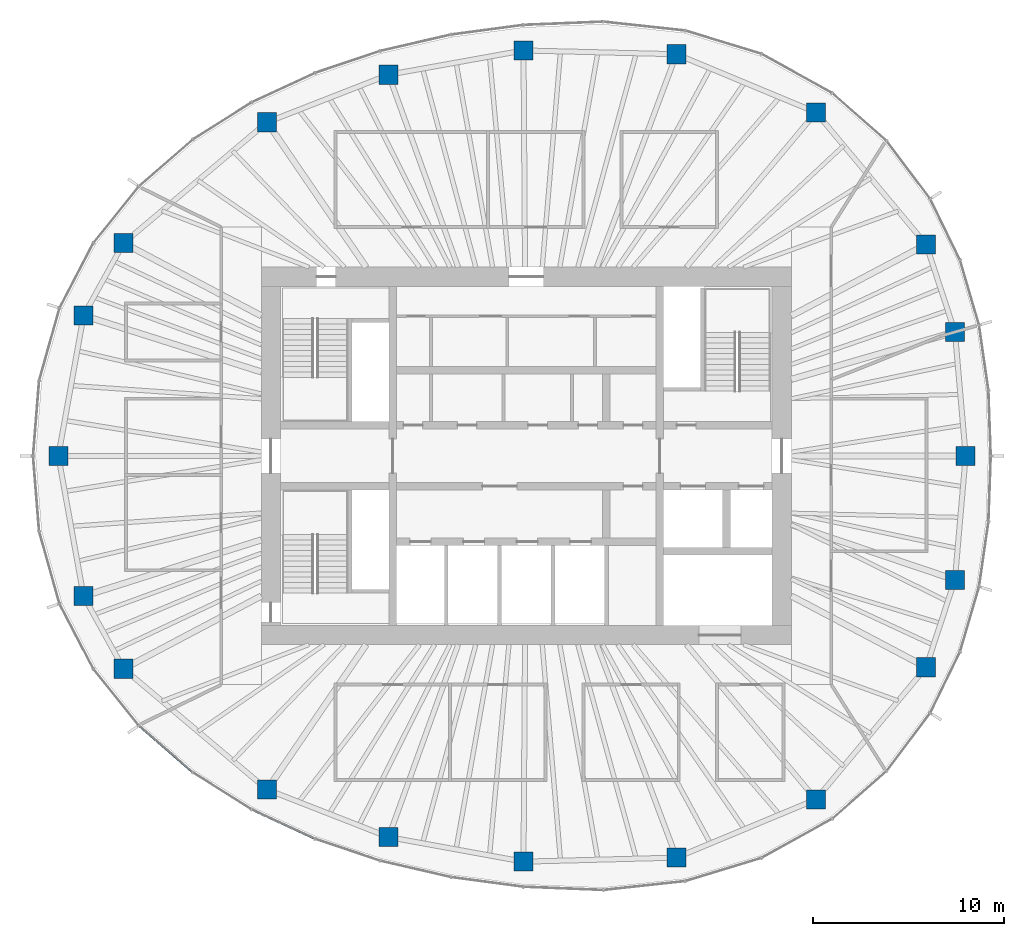
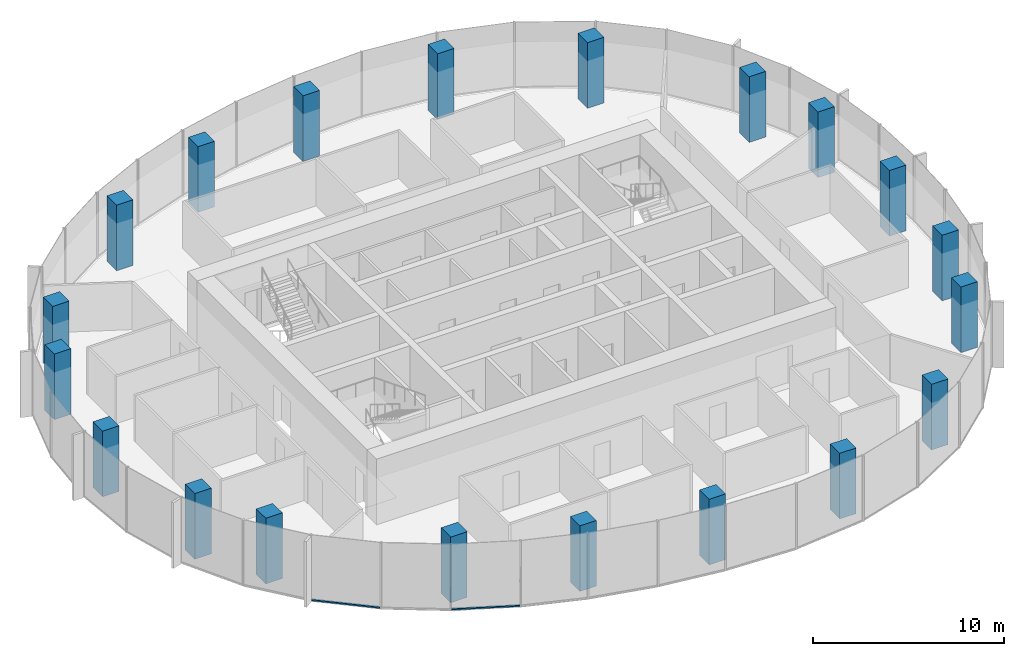
# One storey, part 1 of 11: 20 columns, 2 members, 2 elements without a shape of their own.
"""IFC4 building model written with IfcOpenShell, lengths in metres."""

from ifc_helpers import new_model, si_unit, direction, frame, origin, origin_2d, place, context, subcontext, project, spatial, rectangle, extrude, material, material_profile, profile_set, type_object, element, aggregate, save


model = new_model("IFC4")

# Units and contexts
model_context = context("Model", 3, precision=1e-05, world=origin(), true_north=direction((0.0, 1.0)))
body_context = subcontext(model_context, "Body", "Model", "MODEL_VIEW")
ifc_project = project(units=[si_unit("LENGTHUNIT", "METRE"), si_unit("AREAUNIT", "SQUARE_METRE"), si_unit("VOLUMEUNIT", "CUBIC_METRE"), si_unit("PLANEANGLEUNIT", "RADIAN"), si_unit("MASSUNIT", "GRAM", prefix="KILO")], contexts=[model_context])

# Site, building, storey
site_placement = place(None, origin())
site = spatial("IfcSite", under=ifc_project, at=site_placement, CompositionType="ELEMENT")
building_placement = place(site_placement, origin())
building = spatial("IfcBuilding", under=site, at=building_placement, Name="Ghaith Harvest Tower", CompositionType="ELEMENT")
storey_placement = place(building_placement, frame((0.0, 0.0, 330.0)))
storey = spatial("IfcBuildingStorey", under=building, at=storey_placement, Name="L74", CompositionType="ELEMENT", Elevation=330.0)

# Columns
ifc_material_1 = material(Name="Concrete C50/60", Category="concrete")
ifc_material_profile_1 = material_profile(ifc_material_1, rectangle(XDim=1.0, YDim=1.0, at=origin_2d()), Name="RC1000X1000")
ifc_profile_set_1 = profile_set([ifc_material_profile_1], Name="Concrete C50/60")
column_type = type_object("IfcColumnType", Name="TC8 RC1000X1000", PredefinedType="COLUMN", material=ifc_profile_set_1)
for number, where, z_axis, x_axis, name in (
    (1, (23.050048828125, 0.0, 0.0), (0.0, 0.0, 1.0), (1.0, 0.0, 0.0), "Perimeter column C01"),
    (2, (22.485107421875, 6.4990234375, 0.0), (0.0, 0.0, 1.0), (1.0, 0.0, 0.0), "Perimeter column C02"),
    (3, (20.97705078125, 11.087890625, 0.0), (0.0, 0.0, 1.0), (1.0, 0.0, 0.0), "Perimeter column C03"),
    (4, (15.197998046875, 18.02294921875, 0.0), (0.0, 0.0, 1.0), (1.0, 0.0, 0.0), "Perimeter column C04"),
    (5, (7.8779296875, 21.072021484375, 0.0), (0.0, 0.0, 1.0), (1.0, 0.0, 0.0), "Perimeter column C05"),
    (6, (-0.14599609375, 21.27099609375, 0.0), (0.0, 0.0, 1.0), (1.0, 0.0, 0.0), "Perimeter column C06"),
    (7, (-7.221923828125, 19.9970703125, 0.0), (0.0, 0.0, 1.0), (1.0, 0.0, 0.0), "Perimeter column C07"),
    (8, (-13.594970703125, 17.5048828125, 0.0), (0.0, 0.0, 1.0), (1.0, 0.0, 0.0), "Perimeter column C08"),
    (9, (-21.125, 11.166015625, 0.0), (0.0, 0.0, 1.0), (1.0, 0.0, 0.0), "Perimeter column C09"),
    (10, (-23.22412109375, 7.360107421875, 0.0), (0.0, 0.0, 1.0), (1.0, 0.0, 0.0), "Perimeter column C10"),
    (11, (-24.550048828125, 0.0, 0.0), (0.0, 0.0, 1.0), (1.0, 0.0, 0.0), "Perimeter column C11"),
    (12, (-23.22412109375, -7.360107421875, 0.0), (0.0, 0.0, 1.0), (1.0, 0.0, 0.0), "Perimeter column C12"),
    (13, (-21.125, -11.166015625, 0.0), (0.0, 0.0, 1.0), (1.0, 0.0, 0.0), "Perimeter column C13"),
    (14, (-13.594970703125, -17.5048828125, 0.0), (0.0, 0.0, 1.0), (1.0, 0.0, 0.0), "Perimeter column C14"),
    (15, (-7.221923828125, -19.9970703125, 0.0), (0.0, 0.0, 1.0), (1.0, 0.0, 0.0), "Perimeter column C15"),
    (16, (-0.14599609375, -21.285888671875, 0.0), (0.0, 0.0, 1.0), (1.0, 0.0, 0.0), "Perimeter column C16"),
    (17, (7.8779296875, -21.072021484375, 0.0), (0.0, 0.0, 1.0), (1.0, 0.0, 0.0), "Perimeter column C17"),
    (18, (15.197998046875, -18.02294921875, 0.0), (0.0, 0.0, 1.0), (1.0, 0.0, 0.0), "Perimeter column C18"),
    (19, (20.97705078125, -11.087890625, 0.0), (0.0, 0.0, 1.0), (1.0, 0.0, 0.0), "Perimeter column C19"),
    (20, (22.485107421875, -6.4990234375, 0.0), (0.0, 0.0, 1.0), (1.0, 0.0, 0.0), "Perimeter column C20"),
):
    element("IfcColumn", number, at=place(storey_placement, frame(where, z_axis=z_axis, x_axis=x_axis)), inside=storey, type_object=column_type, Name=name, PredefinedType="COLUMN", context=body_context, shape_type="SweptSolid", body=[
        extrude(rectangle(XDim=1.0, YDim=1.0, at=origin_2d()), origin(), (0.0, 0.0, 1.0), 4.199951171875),
    ])

# Curtain wall, member
ifc_material_2 = material(Name="Black anodised aluminium and fritted glass", Category="aluminium")
curtain_wall_type = type_object("IfcCurtainWallType", Name="CW-T CURTAIN WALL", PredefinedType="NOTDEFINED", material=ifc_material_2)
curtain_wall_1_placement = place(storey_placement, origin())
curtain_wall_1 = element("IfcCurtainWall", 21, at=curtain_wall_1_placement, inside=storey, type_object=curtain_wall_type, Name="Curtain wall CW-T bay 13 L74", PredefinedType="NOTDEFINED")
ifc_material_3 = material(Name="Aluminium, black anodised", Category="aluminium")
ifc_material_profile_2 = material_profile(ifc_material_3, rectangle(XDim=0.1201171875, YDim=0.080078125, at=origin_2d()), Name="CW-T TRANSOM 120x80")
ifc_profile_set_2 = profile_set([ifc_material_profile_2], Name="Aluminium, black anodised")
member_type = type_object("IfcMemberType", Name="CW-T TRANSOM 120x80", PredefinedType="USERDEFINED", material=ifc_profile_set_2)
member_1_placement = place(storey_placement, frame((-20.294189453125, -14.168212890625, 0.0400390625), z_axis=(0.754851889287, -0.65589528527, 0.0), x_axis=(0.65589528527, 0.754851889287, 0.0)))
member_1 = element("IfcMember", 22, at=member_1_placement, type_object=member_type, Name="CW-T transom 1 bay 13 L74", ObjectType="TRANSOM", PredefinedType="USERDEFINED", context=body_context, shape_type="SweptSolid", body=[
    extrude(rectangle(XDim=0.1201171875, YDim=0.080078125, at=origin_2d()), origin(), (0.0, 0.0, 1.0), 3.668701171875),
])
aggregate(curtain_wall_1, [member_1])

curtain_wall_2_placement = place(storey_placement, origin())
curtain_wall_2 = element("IfcCurtainWall", 23, at=curtain_wall_2_placement, inside=storey, type_object=curtain_wall_type, Name="Curtain wall CW-T bay 14 L74", PredefinedType="NOTDEFINED")
member_2_placement = place(storey_placement, frame((-14.36865234375, -18.564697265625, 0.0400390625), z_axis=(0.907472177056, -0.420112184862, 0.0), x_axis=(0.420112184862, 0.907472177056, 0.0)))
member_2 = element("IfcMember", 24, at=member_2_placement, type_object=member_type, Name="CW-T transom 1 bay 14 L74", ObjectType="TRANSOM", PredefinedType="USERDEFINED", context=body_context, shape_type="SweptSolid", body=[
    extrude(rectangle(XDim=0.1201171875, YDim=0.080078125, at=origin_2d()), origin(), (0.0, 0.0, 1.0), 3.597900390625),
])
aggregate(curtain_wall_2, [member_2])

save(model, "model.ifc")
